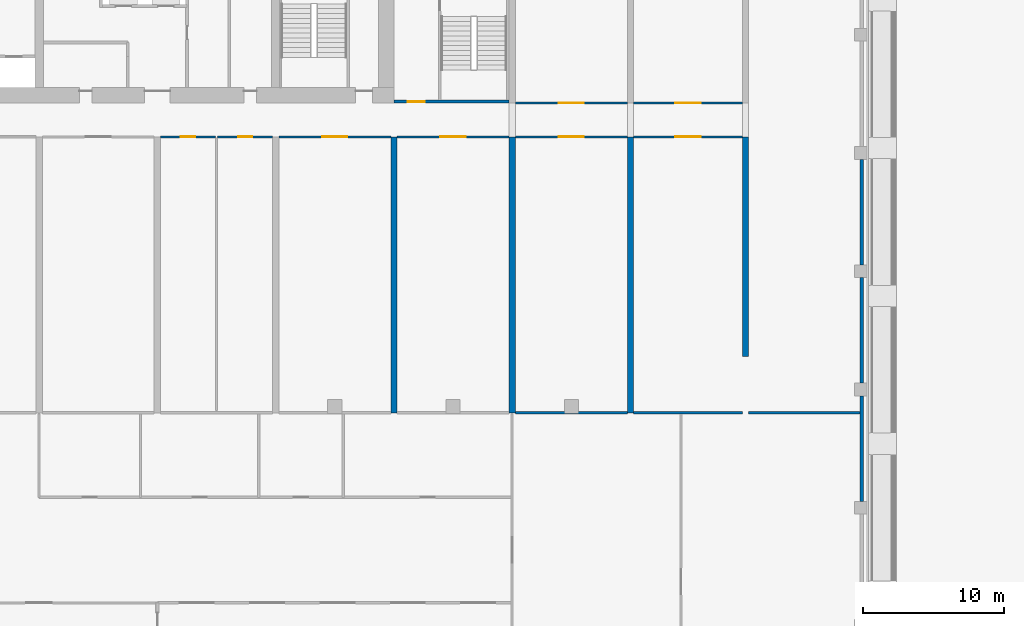
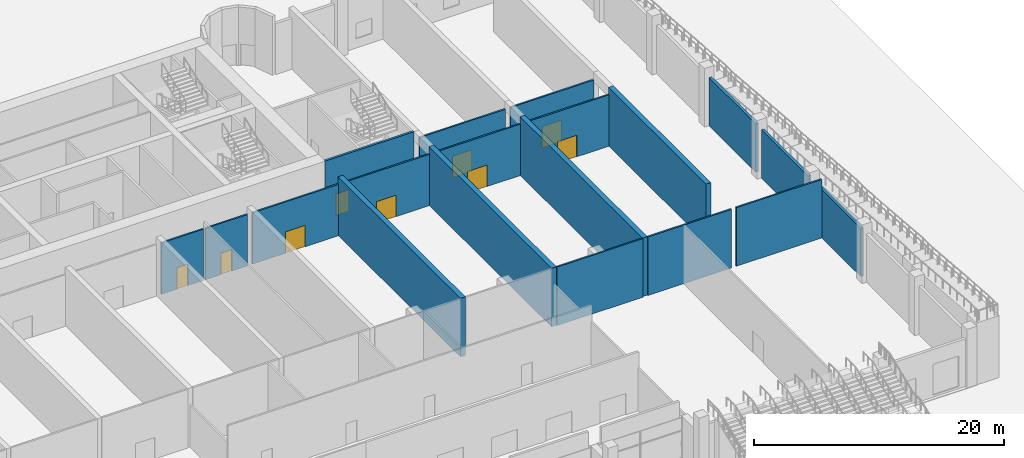
# One storey, part 10 of 20: 19 walls, 9 doors, 9 openings.
"""IFC4 building model written with IfcOpenShell, lengths in metres."""

from ifc_helpers import new_model, si_unit, direction, frame, frame_2d, origin, place, context, subcontext, project, spatial, rectangle, extrude, source, transform, mapped, material, layer, layer_set, type_object, element, fill, save


model = new_model("IFC4")

# Units and contexts
model_context = context("Model", 3, precision=1e-05, world=origin(), true_north=direction((0.0, 1.0)))
body_context = subcontext(model_context, "Body", "Model", "MODEL_VIEW")
ifc_project = project(units=[si_unit("LENGTHUNIT", "METRE"), si_unit("AREAUNIT", "SQUARE_METRE"), si_unit("VOLUMEUNIT", "CUBIC_METRE"), si_unit("PLANEANGLEUNIT", "RADIAN"), si_unit("MASSUNIT", "GRAM", prefix="KILO")], contexts=[model_context])

# Site, building, storey
site_placement = place(None, origin())
site = spatial("IfcSite", under=ifc_project, at=site_placement, CompositionType="ELEMENT")
building_placement = place(site_placement, origin())
building = spatial("IfcBuilding", under=site, at=building_placement, Name="Vanashikhar Sky Hotel", CompositionType="ELEMENT")
storey_placement = place(building_placement, origin())
storey = spatial("IfcBuildingStorey", under=building, at=storey_placement, Name="L00", CompositionType="ELEMENT", Elevation=0.0)

# Walls
ifc_material_1 = material(Name="Concrete M80", Category="concrete")
ifc_layer_1 = layer(ifc_material_1, 0.449951171875)
ifc_layer_set_1 = layer_set([ifc_layer_1], Name="RC shear wall 450 Concrete M80")
wall_type_1 = type_object("IfcWallType", Name="RC shear wall 450 Concrete M80", PredefinedType="SHEAR", material=ifc_layer_set_1)
shared_shape_1 = source(origin(), body_context, "Body", "SweptSolid", [
    extrude(rectangle(XDim=15.60009765625, YDim=0.449951171875, at=frame_2d((7.800048828125, 0.0))), origin(), (0.0, 0.0, 1.0), 5.719970703125),
])
wall_1_placement = place(storey_placement, frame((100.574951171875, 4.0, 0.0), z_axis=(0.0, 0.0, 1.0), x_axis=(0.0, 1.0, 0.0)))
element("IfcWall", 1, at=wall_1_placement, inside=storey, type_object=wall_type_1, Name="CW-L00-XW13-1", PredefinedType="SHEAR", context=body_context, shape_type="MappedRepresentation", body=[
    mapped(shared_shape_1, transform((0.0, 0.0, 0.0), scale=1.0)),
])
shared_shape_2 = source(origin(), body_context, "Body", "SweptSolid", [
    extrude(rectangle(XDim=19.60009765625, YDim=0.449951171875, at=frame_2d((9.800048828125, 0.0))), origin(), (0.0, 0.0, 1.0), 5.719970703125),
])
for number, where, z_axis, x_axis, name in (
    (2, (75.60009765625, 0.0, 0.0), (0.0, 0.0, 1.0), (0.0, 1.0, 0.0), "CW-L00-XW10-1"),
    (3, (84.0, 0.0, 0.0), (0.0, 0.0, 1.0), (0.0, 1.0, 0.0), "CW-L00-XW11-1"),
    (4, (92.39990234375, 0.0, 0.0), (0.0, 0.0, 1.0), (0.0, 1.0, 0.0), "CW-L00-XW12-1"),
):
    element("IfcWall", number, at=place(storey_placement, frame(where, z_axis=z_axis, x_axis=x_axis)), inside=storey, type_object=wall_type_1, Name=name, PredefinedType="SHEAR", context=body_context, shape_type="MappedRepresentation", body=[
        mapped(shared_shape_2, transform((0.0, 0.0, 0.0), scale=1.0)),
    ])
ifc_material_2 = material(Name="Concrete M50", Category="concrete")
ifc_layer_2 = layer(ifc_material_2, 0.25)
ifc_layer_set_2 = layer_set([ifc_layer_2], Name="Rear and end board-marked wall 250")
wall_type_2 = type_object("IfcWallType", Name="Rear and end board-marked wall 250", PredefinedType="SOLIDWALL", material=ifc_layer_set_2)
shared_shape_3 = source(origin(), body_context, "Body", "SweptSolid", [
    extrude(rectangle(XDim=7.5, YDim=0.25, at=frame_2d((3.75, 0.0))), origin(), (0.0, 0.0, 1.0), 4.719970703125),
])
for number, where, z_axis, x_axis, name in (
    (5, (108.824951171875, -6.300048828125, 0.0), (0.0, 0.0, 1.0), (0.0, 1.0, 0.0), "Podium external wall"),
    (6, (108.824951171875, 2.10009765625, 0.0), (0.0, 0.0, 1.0), (0.0, 1.0, 0.0), "Podium external wall"),
    (7, (108.824951171875, 10.5, 0.0), (0.0, 0.0, 1.0), (0.0, 1.0, 0.0), "Podium external wall"),
):
    element("IfcWall", number, at=place(storey_placement, frame(where, z_axis=z_axis, x_axis=x_axis)), inside=storey, type_object=wall_type_2, Name=name, PredefinedType="SOLIDWALL", context=body_context, shape_type="MappedRepresentation", body=[
        mapped(shared_shape_3, transform((0.0, 0.0, 0.0), scale=1.0)),
    ])

# Wall, opening, door
ifc_layer_3 = layer(ifc_material_2, 0.199951171875)
ifc_layer_set_3 = layer_set([ifc_layer_3], Name="Stair wall 200")
wall_type_3 = type_object("IfcWallType", Name="Stair wall 200", PredefinedType="SOLIDWALL", material=ifc_layer_set_3)
shared_shape_4 = source(origin(), body_context, "Body", "SweptSolid", [
    extrude(rectangle(XDim=8.1748046875, YDim=0.199951171875, at=frame_2d((4.08740234375, 0.0))), origin(), (0.0, 0.0, 1.0), 5.719970703125),
])
wall_2_placement = place(storey_placement, frame((83.77490234375, 22.10009765625, 0.0), z_axis=(0.0, 0.0, 1.0), x_axis=(-1.0, 0.0, 0.0)))
wall_2 = element("IfcWall", 8, at=wall_2_placement, inside=storey, type_object=wall_type_3, Name="Stair wall 200", PredefinedType="SOLIDWALL", context=body_context, shape_type="MappedRepresentation", body=[
    mapped(shared_shape_4, transform((0.0, 0.0, 0.0), scale=1.0)),
])
shared_shape_5 = source(origin(), body_context, "Body", "SweptSolid", [
    extrude(rectangle(XDim=1.199951171875, YDim=2.10009765625, at=frame_2d((0.60009765625, 1.050048828125))), frame((0.0, 0.10986328125, 0.0), z_axis=(0.0, -1.0, 0.0), x_axis=(1.0, 0.0, 0.0)), (0.0, 0.0, 1.0), 0.219970703125),
])
opening_1_placement = place(wall_2_placement, frame((5.97509765625, 0.0, 0.0)))
opening_1 = element("IfcOpeningElement", 9, at=opening_1_placement, cuts=wall_2, Name="Opening DC-2", PredefinedType="OPENING", context=body_context, shape_type="MappedRepresentation", body=[
    mapped(shared_shape_5, transform((0.0, 0.0, 0.0), scale=1.0)),
])
ifc_material_3 = material(Name="Steel", Category="steel")
door_type_1 = type_object("IfcDoorType", Name="Firefighting lobby door 1200 FD120", OperationType="NOTDEFINED", PredefinedType="DOOR", material=ifc_material_3)
shared_shape_6 = source(origin(), body_context, "Body", "SweptSolid", [
    extrude(rectangle(XDim=1.199951171875, YDim=2.10009765625, at=frame_2d((0.60009765625, 1.050048828125))), frame((0.0, 0.02490234375, 0.0), z_axis=(0.0, -1.0, 0.0), x_axis=(1.0, 0.0, 0.0)), (0.0, 0.0, 1.0), 0.050048828125),
])
door_1_placement = place(opening_1_placement, origin())
door_1 = element("IfcDoor", 10, at=door_1_placement, inside=storey, type_object=door_type_1, Name="Firefighting lobby door 1200 FD120", OperationType="SINGLE_SWING_LEFT", OverallHeight=2.10009765625, OverallWidth=1.199951171875, PredefinedType="DOOR", context=body_context, shape_type="MappedRepresentation", body=[
    mapped(shared_shape_6, transform((0.0, 0.0, 0.0), scale=1.0)),
])
fill(opening_1, door_1)

ifc_material_4 = material(Name="Gypsum plasterboard partition")
ifc_layer_4 = layer(ifc_material_4, 0.14990234375)
ifc_layer_set_4 = layer_set([ifc_layer_4], Name="Corridor and demising partition 150")
wall_type_4 = type_object("IfcWallType", Name="Corridor and demising partition 150", PredefinedType="PARTITIONING", material=ifc_layer_set_4)
shared_shape_7 = source(origin(), body_context, "Body", "SweptSolid", [
    extrude(rectangle(XDim=7.72509765625, YDim=0.14990234375, at=frame_2d((3.862548828125, 0.0))), origin(), (0.0, 0.0, 1.0), 5.02001953125),
])
wall_3_placement = place(storey_placement, frame((92.625, 19.60009765625, 0.0), z_axis=(0.0, 0.0, 1.0), x_axis=(1.0, 0.0, 0.0)))
wall_3 = element("IfcWall", 11, at=wall_3_placement, inside=storey, type_object=wall_type_4, Name="W-L00-PW025", PredefinedType="PARTITIONING", context=body_context, shape_type="MappedRepresentation", body=[
    mapped(shared_shape_7, transform((0.0, 0.0, 0.0), scale=1.0)),
])
shared_shape_8 = source(origin(), body_context, "Body", "SweptSolid", [
    extrude(rectangle(XDim=1.800048828125, YDim=2.10009765625, at=frame_2d((0.89990234375, 1.050048828125))), frame((0.0, 0.0849609375, 0.0), z_axis=(0.0, -1.0, 0.0), x_axis=(1.0, 0.0, 0.0)), (0.0, 0.0, 1.0), 0.169921875),
])
opening_2_placement = place(wall_3_placement, frame((2.9619140625, 0.0, 0.0)))
opening_2 = element("IfcOpeningElement", 12, at=opening_2_placement, cuts=wall_3, Name="Opening D-03", PredefinedType="OPENING", context=body_context, shape_type="MappedRepresentation", body=[
    mapped(shared_shape_8, transform((0.0, 0.0, 0.0), scale=1.0)),
])
ifc_material_5 = material(Name="Timber fire door", Category="wood")
door_type_2 = type_object("IfcDoorType", Name="Double leaf door 1800 FD30S", OperationType="NOTDEFINED", PredefinedType="DOOR", material=ifc_material_5)
shared_shape_9 = source(origin(), body_context, "Body", "SweptSolid", [
    extrude(rectangle(XDim=1.800048828125, YDim=2.10009765625, at=frame_2d((0.89990234375, 1.050048828125))), frame((0.0, 0.02490234375, 0.0), z_axis=(0.0, -1.0, 0.0), x_axis=(1.0, 0.0, 0.0)), (0.0, 0.0, 1.0), 0.050048828125),
])
door_2_placement = place(opening_2_placement, origin())
door_2 = element("IfcDoor", 13, at=door_2_placement, inside=storey, type_object=door_type_2, Name="D-L00-014", OperationType="DOUBLE_DOOR_SINGLE_SWING", OverallHeight=2.10009765625, OverallWidth=1.800048828125, PredefinedType="DOOR", context=body_context, shape_type="MappedRepresentation", body=[
    mapped(shared_shape_9, transform((0.0, 0.0, 0.0), scale=1.0)),
])
fill(opening_2, door_2)

wall_4_placement = place(storey_placement, frame((92.625, 22.0, 0.0), z_axis=(0.0, 0.0, 1.0), x_axis=(1.0, 0.0, 0.0)))
wall_4 = element("IfcWall", 14, at=wall_4_placement, inside=storey, type_object=wall_type_4, Name="W-L00-PW052", PredefinedType="PARTITIONING", context=body_context, shape_type="MappedRepresentation", body=[
    mapped(shared_shape_7, transform((0.0, 0.0, 0.0), scale=1.0)),
])
opening_3_placement = place(wall_4_placement, frame((2.9619140625, 0.0, 0.0)))
opening_3 = element("IfcOpeningElement", 15, at=opening_3_placement, cuts=wall_4, Name="Opening D-03", PredefinedType="OPENING", context=body_context, shape_type="MappedRepresentation", body=[
    mapped(shared_shape_8, transform((0.0, 0.0, 0.0), scale=1.0)),
])
door_3_placement = place(opening_3_placement, origin())
door_3 = element("IfcDoor", 16, at=door_3_placement, inside=storey, type_object=door_type_2, Name="D-L00-044", OperationType="DOUBLE_DOOR_SINGLE_SWING", OverallHeight=2.10009765625, OverallWidth=1.800048828125, PredefinedType="DOOR", context=body_context, shape_type="MappedRepresentation", body=[
    mapped(shared_shape_9, transform((0.0, 0.0, 0.0), scale=1.0)),
])
fill(opening_3, door_3)

# Wall
shared_shape_10 = source(origin(), body_context, "Body", "SweptSolid", [
    extrude(rectangle(XDim=7.72509765625, YDim=0.14990234375, at=frame_2d((3.862548828125, 0.0))), origin(), (0.0, 0.0, 1.0), 5.719970703125),
])
wall_5_placement = place(storey_placement, frame((92.625, 0.0, 0.0), z_axis=(0.0, 0.0, 1.0), x_axis=(1.0, 0.0, 0.0)))
element("IfcWall", 17, at=wall_5_placement, inside=storey, type_object=wall_type_4, Name="W-L00-PW026", PredefinedType="PARTITIONING", context=body_context, shape_type="MappedRepresentation", body=[
    mapped(shared_shape_10, transform((0.0, 0.0, 0.0), scale=1.0)),
])

# Wall, opening, door
shared_shape_11 = source(origin(), body_context, "Body", "SweptSolid", [
    extrude(rectangle(XDim=7.949951171875, YDim=0.14990234375, at=frame_2d((3.97509765625, 0.0))), origin(), (0.0, 0.0, 1.0), 5.02001953125),
])
wall_6_placement = place(storey_placement, frame((67.425048828125, 19.60009765625, 0.0), z_axis=(0.0, 0.0, 1.0), x_axis=(1.0, 0.0, 0.0)))
wall_6 = element("IfcWall", 18, at=wall_6_placement, inside=storey, type_object=wall_type_4, Name="W-L00-PW019", PredefinedType="PARTITIONING", context=body_context, shape_type="MappedRepresentation", body=[
    mapped(shared_shape_11, transform((0.0, 0.0, 0.0), scale=1.0)),
])
opening_4_placement = place(wall_6_placement, frame((3.074951171875, 0.0, 0.0)))
opening_4 = element("IfcOpeningElement", 19, at=opening_4_placement, cuts=wall_6, Name="Opening D-03", PredefinedType="OPENING", context=body_context, shape_type="MappedRepresentation", body=[
    mapped(shared_shape_8, transform((0.0, 0.0, 0.0), scale=1.0)),
])
door_4_placement = place(opening_4_placement, origin())
door_4 = element("IfcDoor", 20, at=door_4_placement, inside=storey, type_object=door_type_2, Name="D-L00-011", OperationType="DOUBLE_DOOR_SINGLE_SWING", OverallHeight=2.10009765625, OverallWidth=1.800048828125, PredefinedType="DOOR", context=body_context, shape_type="MappedRepresentation", body=[
    mapped(shared_shape_9, transform((0.0, 0.0, 0.0), scale=1.0)),
])
fill(opening_4, door_4)

wall_7_placement = place(storey_placement, frame((75.824951171875, 19.60009765625, 0.0), z_axis=(0.0, 0.0, 1.0), x_axis=(1.0, 0.0, 0.0)))
wall_7 = element("IfcWall", 21, at=wall_7_placement, inside=storey, type_object=wall_type_4, Name="W-L00-PW021", PredefinedType="PARTITIONING", context=body_context, shape_type="MappedRepresentation", body=[
    mapped(shared_shape_11, transform((0.0, 0.0, 0.0), scale=1.0)),
])
opening_5_placement = place(wall_7_placement, frame((3.074951171875, 0.0, 0.0)))
opening_5 = element("IfcOpeningElement", 22, at=opening_5_placement, cuts=wall_7, Name="Opening D-03", PredefinedType="OPENING", context=body_context, shape_type="MappedRepresentation", body=[
    mapped(shared_shape_8, transform((0.0, 0.0, 0.0), scale=1.0)),
])
door_5_placement = place(opening_5_placement, origin())
door_5 = element("IfcDoor", 23, at=door_5_placement, inside=storey, type_object=door_type_2, Name="D-L00-012", OperationType="DOUBLE_DOOR_SINGLE_SWING", OverallHeight=2.10009765625, OverallWidth=1.800048828125, PredefinedType="DOOR", context=body_context, shape_type="MappedRepresentation", body=[
    mapped(shared_shape_9, transform((0.0, 0.0, 0.0), scale=1.0)),
])
fill(opening_5, door_5)

wall_8_placement = place(storey_placement, frame((84.22509765625, 19.60009765625, 0.0), z_axis=(0.0, 0.0, 1.0), x_axis=(1.0, 0.0, 0.0)))
wall_8 = element("IfcWall", 24, at=wall_8_placement, inside=storey, type_object=wall_type_4, Name="W-L00-PW023", PredefinedType="PARTITIONING", context=body_context, shape_type="MappedRepresentation", body=[
    mapped(shared_shape_11, transform((0.0, 0.0, 0.0), scale=1.0)),
])
opening_6_placement = place(wall_8_placement, frame((3.074951171875, 0.0, 0.0)))
opening_6 = element("IfcOpeningElement", 25, at=opening_6_placement, cuts=wall_8, Name="Opening D-03", PredefinedType="OPENING", context=body_context, shape_type="MappedRepresentation", body=[
    mapped(shared_shape_8, transform((0.0, 0.0, 0.0), scale=1.0)),
])
door_6_placement = place(opening_6_placement, origin())
door_6 = element("IfcDoor", 26, at=door_6_placement, inside=storey, type_object=door_type_2, Name="D-L00-013", OperationType="DOUBLE_DOOR_SINGLE_SWING", OverallHeight=2.10009765625, OverallWidth=1.800048828125, PredefinedType="DOOR", context=body_context, shape_type="MappedRepresentation", body=[
    mapped(shared_shape_9, transform((0.0, 0.0, 0.0), scale=1.0)),
])
fill(opening_6, door_6)

wall_9_placement = place(storey_placement, frame((84.22509765625, 22.0, 0.0), z_axis=(0.0, 0.0, 1.0), x_axis=(1.0, 0.0, 0.0)))
wall_9 = element("IfcWall", 27, at=wall_9_placement, inside=storey, type_object=wall_type_4, Name="W-L00-PW051", PredefinedType="PARTITIONING", context=body_context, shape_type="MappedRepresentation", body=[
    mapped(shared_shape_11, transform((0.0, 0.0, 0.0), scale=1.0)),
])
opening_7_placement = place(wall_9_placement, frame((3.074951171875, 0.0, 0.0)))
opening_7 = element("IfcOpeningElement", 28, at=opening_7_placement, cuts=wall_9, Name="Opening D-03", PredefinedType="OPENING", context=body_context, shape_type="MappedRepresentation", body=[
    mapped(shared_shape_8, transform((0.0, 0.0, 0.0), scale=1.0)),
])
door_7_placement = place(opening_7_placement, origin())
door_7 = element("IfcDoor", 29, at=door_7_placement, inside=storey, type_object=door_type_2, Name="D-L00-043", OperationType="DOUBLE_DOOR_SINGLE_SWING", OverallHeight=2.10009765625, OverallWidth=1.800048828125, PredefinedType="DOOR", context=body_context, shape_type="MappedRepresentation", body=[
    mapped(shared_shape_9, transform((0.0, 0.0, 0.0), scale=1.0)),
])
fill(opening_7, door_7)

# Wall
shared_shape_12 = source(origin(), body_context, "Body", "SweptSolid", [
    extrude(rectangle(XDim=7.949951171875, YDim=0.14990234375, at=frame_2d((3.97509765625, 0.0))), origin(), (0.0, 0.0, 1.0), 5.719970703125),
])
wall_10_placement = place(storey_placement, frame((84.22509765625, 0.0, 0.0), z_axis=(0.0, 0.0, 1.0), x_axis=(1.0, 0.0, 0.0)))
element("IfcWall", 30, at=wall_10_placement, inside=storey, type_object=wall_type_4, Name="W-L00-PW024", PredefinedType="PARTITIONING", context=body_context, shape_type="MappedRepresentation", body=[
    mapped(shared_shape_12, transform((0.0, 0.0, 0.0), scale=1.0)),
])

# Wall, opening, door
shared_shape_13 = source(origin(), body_context, "Body", "SweptSolid", [
    extrude(rectangle(XDim=3.900146484375, YDim=0.14990234375, at=frame_2d((1.9501953125, 0.0))), origin(), (0.0, 0.0, 1.0), 5.02001953125),
])
wall_11_placement = place(storey_placement, frame((59.02490234375, 19.60009765625, 0.0), z_axis=(0.0, 0.0, 1.0), x_axis=(1.0, 0.0, 0.0)))
wall_11 = element("IfcWall", 31, at=wall_11_placement, inside=storey, type_object=wall_type_4, Name="W-L00-PW015", PredefinedType="PARTITIONING", context=body_context, shape_type="MappedRepresentation", body=[
    mapped(shared_shape_13, transform((0.0, 0.0, 0.0), scale=1.0)),
])
shared_shape_14 = source(origin(), body_context, "Body", "SweptSolid", [
    extrude(rectangle(XDim=1.0, YDim=2.10009765625, at=frame_2d((0.5, 1.050048828125))), frame((0.0, 0.0849609375, 0.0), z_axis=(0.0, -1.0, 0.0), x_axis=(1.0, 0.0, 0.0)), (0.0, 0.0, 1.0), 0.169921875),
])
opening_8_placement = place(wall_11_placement, frame((1.449951171875, 0.0, 0.0)))
opening_8 = element("IfcOpeningElement", 32, at=opening_8_placement, cuts=wall_11, Name="Opening D-01", PredefinedType="OPENING", context=body_context, shape_type="MappedRepresentation", body=[
    mapped(shared_shape_14, transform((0.0, 0.0, 0.0), scale=1.0)),
])
door_type_3 = type_object("IfcDoorType", Name="Guest entry door 1000 FD30S", OperationType="NOTDEFINED", PredefinedType="DOOR", material=ifc_material_5)
shared_shape_15 = source(origin(), body_context, "Body", "SweptSolid", [
    extrude(rectangle(XDim=1.0, YDim=2.10009765625, at=frame_2d((0.5, 1.050048828125))), frame((0.0, 0.02490234375, 0.0), z_axis=(0.0, -1.0, 0.0), x_axis=(1.0, 0.0, 0.0)), (0.0, 0.0, 1.0), 0.050048828125),
])
door_8_placement = place(opening_8_placement, origin())
door_8 = element("IfcDoor", 33, at=door_8_placement, inside=storey, type_object=door_type_3, Name="D-L00-009", OperationType="SINGLE_SWING_LEFT", OverallHeight=2.10009765625, OverallWidth=1.0, PredefinedType="DOOR", context=body_context, shape_type="MappedRepresentation", body=[
    mapped(shared_shape_15, transform((0.0, 0.0, 0.0), scale=1.0)),
])
fill(opening_8, door_8)

wall_12_placement = place(storey_placement, frame((63.074951171875, 19.60009765625, 0.0), z_axis=(0.0, 0.0, 1.0), x_axis=(1.0, 0.0, 0.0)))
wall_12 = element("IfcWall", 34, at=wall_12_placement, inside=storey, type_object=wall_type_4, Name="W-L00-PW016", PredefinedType="PARTITIONING", context=body_context, shape_type="MappedRepresentation", body=[
    mapped(shared_shape_13, transform((0.0, 0.0, 0.0), scale=1.0)),
])
opening_9_placement = place(wall_12_placement, frame((1.449951171875, 0.0, 0.0)))
opening_9 = element("IfcOpeningElement", 35, at=opening_9_placement, cuts=wall_12, Name="Opening D-01", PredefinedType="OPENING", context=body_context, shape_type="MappedRepresentation", body=[
    mapped(shared_shape_14, transform((0.0, 0.0, 0.0), scale=1.0)),
])
door_9_placement = place(opening_9_placement, origin())
door_9 = element("IfcDoor", 36, at=door_9_placement, inside=storey, type_object=door_type_3, Name="D-L00-010", OperationType="SINGLE_SWING_RIGHT", OverallHeight=2.10009765625, OverallWidth=1.0, PredefinedType="DOOR", context=body_context, shape_type="MappedRepresentation", body=[
    mapped(shared_shape_15, transform((0.0, 0.0, 0.0), scale=1.0)),
])
fill(opening_9, door_9)

# Wall
shared_shape_16 = source(origin(), body_context, "Body", "SweptSolid", [
    extrude(rectangle(XDim=7.89990234375, YDim=0.14990234375, at=frame_2d((3.949951171875, 0.0))), origin(), (0.0, 0.0, 1.0), 5.719970703125),
])
wall_13_placement = place(storey_placement, frame((100.800048828125, 0.0, 0.0), z_axis=(0.0, 0.0, 1.0), x_axis=(1.0, 0.0, 0.0)))
element("IfcWall", 37, at=wall_13_placement, inside=storey, type_object=wall_type_4, Name="W-L00-PW048", PredefinedType="PARTITIONING", context=body_context, shape_type="MappedRepresentation", body=[
    mapped(shared_shape_16, transform((0.0, 0.0, 0.0), scale=1.0)),
])

save(model, "model.ifc")
